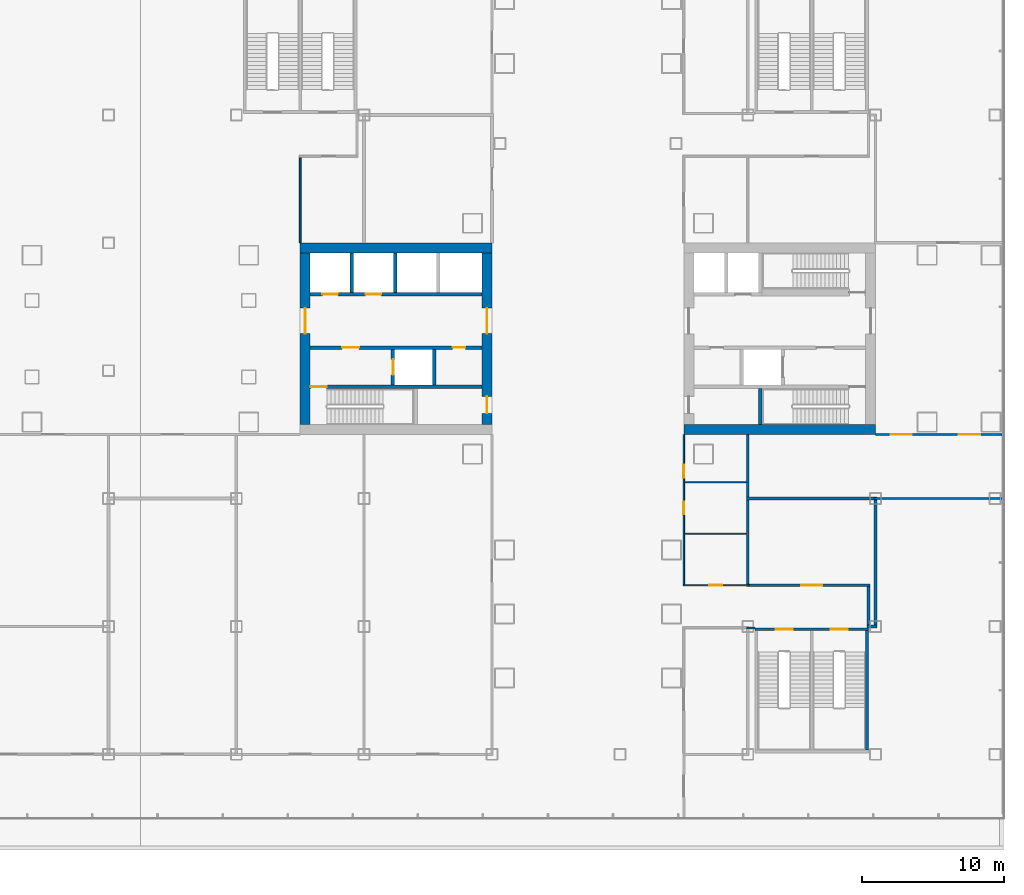
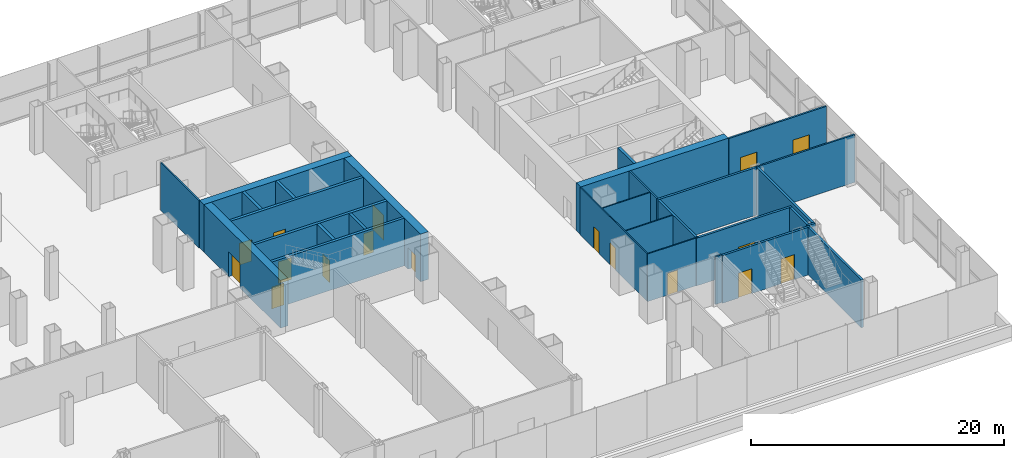
# One storey, part 24 of 33: 29 walls, 17 doors, 17 openings.
"""IFC4 building model written with IfcOpenShell, lengths in metres."""

from ifc_helpers import new_model, si_unit, direction, frame, frame_2d, origin, place, context, subcontext, project, spatial, rectangle, extrude, material, layer, layer_set, type_object, element, fill, save


model = new_model("IFC4")

# Units and contexts
model_context = context("Model", 3, precision=1e-05, world=origin(), true_north=direction((0.0, 1.0)))
body_context = subcontext(model_context, "Body", "Model", "MODEL_VIEW")
ifc_project = project(units=[si_unit("LENGTHUNIT", "METRE"), si_unit("AREAUNIT", "SQUARE_METRE"), si_unit("VOLUMEUNIT", "CUBIC_METRE"), si_unit("PLANEANGLEUNIT", "RADIAN"), si_unit("MASSUNIT", "GRAM", prefix="KILO")], contexts=[model_context])

# Site, building, storey
site_placement = place(None, origin())
site = spatial("IfcSite", under=ifc_project, at=site_placement, CompositionType="ELEMENT")
building_placement = place(site_placement, origin())
building = spatial("IfcBuilding", under=site, at=building_placement, Name="Shamsa Quay Exchange Towers", CompositionType="ELEMENT")
storey_placement = place(building_placement, frame((0.0, 0.0, 18.5)))
storey = spatial("IfcBuildingStorey", under=building, at=storey_placement, Name="L03", CompositionType="ELEMENT", Elevation=18.5)

# Wall
ifc_material_1 = material(Name="Concrete C80/95", Category="concrete")
ifc_layer_1 = layer(ifc_material_1, 0.699951171875)
ifc_layer_set_1 = layer_set([ifc_layer_1], Name="CORE WALL 700 C80/95")
wall_type_1 = type_object("IfcWallType", Name="CORE WALL 700 C80/95", PredefinedType="SHEAR", material=ifc_layer_set_1)
wall_1_placement = place(storey_placement, frame((13.5, 6.39990234375, 0.0)))
element("IfcWall", 1, at=wall_1_placement, inside=storey, type_object=wall_type_1, Name="Core wall T2A-L03-PN", PredefinedType="SHEAR", context=body_context, shape_type="SweptSolid", body=[
    extrude(rectangle(XDim=13.5, YDim=0.699951171875, at=frame_2d((6.75, 0.0))), origin(), (0.0, 0.0, 1.0), 4.60009765625),
])

# Wall, opening, door
wall_2_placement = place(storey_placement, frame((13.85009765625, 6.050048828125, 0.0), z_axis=(0.0, 0.0, 1.0), x_axis=(0.0, -1.0, 0.0)))
wall_2 = element("IfcWall", 2, at=wall_2_placement, inside=storey, type_object=wall_type_1, Name="Core wall T2A-L03-PF", PredefinedType="SHEAR", context=body_context, shape_type="SweptSolid", body=[
    extrude(rectangle(XDim=12.10009765625, YDim=0.699951171875, at=frame_2d((6.050048828125, 0.0))), origin(), (0.0, 0.0, 1.0), 4.60009765625),
])
opening_1_placement = place(wall_2_placement, frame((3.89990234375, 0.0, 0.0)))
opening_1 = element("IfcOpeningElement", 3, at=opening_1_placement, cuts=wall_2, Name="Opening T2A-L03-LBD01", PredefinedType="OPENING", context=body_context, shape_type="SweptSolid", body=[
    extrude(rectangle(XDim=1.800048828125, YDim=2.39990234375, at=frame_2d((0.89990234375, 1.199951171875))), frame((0.0, 0.35986328125, 0.0), z_axis=(0.0, -1.0, 0.0), x_axis=(1.0, 0.0, 0.0)), (0.0, 0.0, 1.0), 0.719970703125),
])
ifc_material_2 = material(Name="Steel, fire rated", Category="steel")
door_type_1 = type_object("IfcDoorType", Name="LIFT LOBBY DOOR PAIR 1800", OperationType="DOUBLE_DOOR_SINGLE_SWING", PredefinedType="DOOR", material=ifc_material_2)
door_1_placement = place(opening_1_placement, origin())
door_1 = element("IfcDoor", 4, at=door_1_placement, inside=storey, type_object=door_type_1, Name="T2A-L03-LBD01", OperationType="DOUBLE_DOOR_SINGLE_SWING", OverallHeight=2.39990234375, OverallWidth=1.800048828125, PredefinedType="DOOR", context=body_context, shape_type="SweptSolid", body=[
    extrude(rectangle(XDim=1.800048828125, YDim=2.39990234375, at=frame_2d((0.89990234375, 1.199951171875))), frame((0.0, 0.02490234375, 0.0), z_axis=(0.0, -1.0, 0.0), x_axis=(1.0, 0.0, 0.0)), (0.0, 0.0, 1.0), 0.050048828125),
])
fill(opening_1, door_1)

# Wall, openings, doors
wall_3_placement = place(storey_placement, frame((26.64990234375, 6.050048828125, 0.0), z_axis=(0.0, 0.0, 1.0), x_axis=(0.0, -1.0, 0.0)))
wall_3 = element("IfcWall", 5, at=wall_3_placement, inside=storey, type_object=wall_type_1, Name="Core wall T2A-L03-PB", PredefinedType="SHEAR", context=body_context, shape_type="SweptSolid", body=[
    extrude(rectangle(XDim=12.10009765625, YDim=0.699951171875, at=frame_2d((6.050048828125, 0.0))), origin(), (0.0, 0.0, 1.0), 4.60009765625),
])
opening_2_placement = place(wall_3_placement, frame((10.10009765625, 0.0, 0.0)))
opening_2 = element("IfcOpeningElement", 6, at=opening_2_placement, cuts=wall_3, Name="Opening T2A-L03-RD02", PredefinedType="OPENING", context=body_context, shape_type="SweptSolid", body=[
    extrude(rectangle(XDim=1.199951171875, YDim=2.10009765625, at=frame_2d((0.60009765625, 1.050048828125))), frame((0.0, 0.35986328125, 0.0), z_axis=(0.0, -1.0, 0.0), x_axis=(1.0, 0.0, 0.0)), (0.0, 0.0, 1.0), 0.719970703125),
])
opening_3_placement = place(wall_3_placement, frame((3.89990234375, 0.0, 0.0)))
opening_3 = element("IfcOpeningElement", 7, at=opening_3_placement, cuts=wall_3, Name="Opening T2A-L03-LBD03", PredefinedType="OPENING", context=body_context, shape_type="SweptSolid", body=[
    extrude(rectangle(XDim=1.800048828125, YDim=2.39990234375, at=frame_2d((0.89990234375, 1.199951171875))), frame((0.0, 0.35986328125, 0.0), z_axis=(0.0, -1.0, 0.0), x_axis=(1.0, 0.0, 0.0)), (0.0, 0.0, 1.0), 0.719970703125),
])
door_2_placement = place(opening_3_placement, origin())
door_2 = element("IfcDoor", 8, at=door_2_placement, inside=storey, type_object=door_type_1, Name="T2A-L03-LBD03", OperationType="DOUBLE_DOOR_SINGLE_SWING", OverallHeight=2.39990234375, OverallWidth=1.800048828125, PredefinedType="DOOR", context=body_context, shape_type="SweptSolid", body=[
    extrude(rectangle(XDim=1.800048828125, YDim=2.39990234375, at=frame_2d((0.89990234375, 1.199951171875))), frame((0.0, 0.02490234375, 0.0), z_axis=(0.0, -1.0, 0.0), x_axis=(1.0, 0.0, 0.0)), (0.0, 0.0, 1.0), 0.050048828125),
])
fill(opening_3, door_2)
door_type_2 = type_object("IfcDoorType", Name="RISER ACCESS DOOR 1200", OperationType="SINGLE_SWING_LEFT", PredefinedType="DOOR", material=ifc_material_2)
door_3_placement = place(opening_2_placement, origin())
door_3 = element("IfcDoor", 9, at=door_3_placement, inside=storey, type_object=door_type_2, Name="T2A-L03-RD02", OperationType="SINGLE_SWING_RIGHT", OverallHeight=2.10009765625, OverallWidth=1.199951171875, PredefinedType="DOOR", context=body_context, shape_type="SweptSolid", body=[
    extrude(rectangle(XDim=1.199951171875, YDim=2.10009765625, at=frame_2d((0.60009765625, 1.050048828125))), frame((0.0, 0.02490234375, 0.0), z_axis=(0.0, -1.0, 0.0), x_axis=(1.0, 0.0, 0.0)), (0.0, 0.0, 1.0), 0.050048828125),
])
fill(opening_2, door_3)

# Walls
wall_4_placement = place(storey_placement, frame((54.0, -6.39990234375, 0.0), z_axis=(0.0, 0.0, 1.0), x_axis=(-1.0, 0.0, 0.0)))
element("IfcWall", 10, at=wall_4_placement, inside=storey, type_object=wall_type_1, Name="Core wall T2B-L03-PS", PredefinedType="SHEAR", context=body_context, shape_type="SweptSolid", body=[
    extrude(rectangle(XDim=13.5, YDim=0.699951171875, at=frame_2d((6.75, 0.0))), origin(), (0.0, 0.0, 1.0), 4.60009765625),
])
ifc_material_3 = material(Name="Laminated fire-resisting glass in a metal frame", Category="glass")
ifc_layer_2 = layer(ifc_material_3, 0.125)
ifc_layer_set_2 = layer_set([ifc_layer_2], Name="Glazed partition 125 mm EI 60")
wall_type_2 = type_object("IfcWallType", Name="Glazed partition 125 mm EI 60", PredefinedType="PARTITIONING", material=ifc_layer_set_2)
wall_5_placement = place(storey_placement, frame((13.5, 12.787109375, 0.0), z_axis=(0.0, 0.0, 1.0), x_axis=(0.0, -1.0, 0.0)))
element("IfcWall", 11, at=wall_5_placement, inside=storey, type_object=wall_type_2, Name="Partition PD-L03-W22", PredefinedType="PARTITIONING", context=body_context, shape_type="SweptSolid", body=[
    extrude(rectangle(XDim=6.037109375, YDim=0.125, at=frame_2d((3.0185546875, 0.0))), origin(), (0.0, 0.0, 1.0), 4.60009765625),
])

# Wall, openings, doors
ifc_material_4 = material(Name="Gypsum board partition on metal studs")
ifc_layer_3 = layer(ifc_material_4, 0.10009765625)
ifc_layer_set_3 = layer_set([ifc_layer_3], Name="Partition 100 mm NOT RATED")
wall_type_3 = type_object("IfcWallType", Name="Partition 100 mm NOT RATED", PredefinedType="PARTITIONING", material=ifc_layer_set_3)
wall_6_placement = place(storey_placement, frame((40.5, -6.75, 0.0), z_axis=(0.0, 0.0, 1.0), x_axis=(0.0, -1.0, 0.0)))
wall_6 = element("IfcWall", 12, at=wall_6_placement, inside=storey, type_object=wall_type_3, Name="Partition PD-L03-W15", PredefinedType="PARTITIONING", context=body_context, shape_type="SweptSolid", body=[
    extrude(rectangle(XDim=10.549560546875, YDim=0.10009765625, at=frame_2d((5.27490234375, 0.0))), origin(), (0.0, 0.0, 1.0), 4.60009765625),
])
opening_4_placement = place(wall_6_placement, frame((2.124755859375, 0.0, 0.0)))
opening_4 = element("IfcOpeningElement", 13, at=opening_4_placement, cuts=wall_6, Name="Opening PD-L03-D34", PredefinedType="OPENING", context=body_context, shape_type="SweptSolid", body=[
    extrude(rectangle(XDim=0.89990234375, YDim=2.10009765625, at=frame_2d((0.449951171875, 1.050048828125))), frame((0.0, 0.06005859375, 0.0), z_axis=(0.0, -1.0, 0.0), x_axis=(1.0, 0.0, 0.0)), (0.0, 0.0, 1.0), 0.1201171875),
])
opening_5_placement = place(wall_6_placement, frame((4.712158203125, 0.0, 0.0)))
opening_5 = element("IfcOpeningElement", 14, at=opening_5_placement, cuts=wall_6, Name="Opening PD-L03-D35", PredefinedType="OPENING", context=body_context, shape_type="SweptSolid", body=[
    extrude(rectangle(XDim=0.89990234375, YDim=2.10009765625, at=frame_2d((0.449951171875, 1.050048828125))), frame((0.0, 0.06005859375, 0.0), z_axis=(0.0, -1.0, 0.0), x_axis=(1.0, 0.0, 0.0)), (0.0, 0.0, 1.0), 0.1201171875),
])
ifc_material_5 = material(Name="Timber door leaf in a metal frame", Category="wood")
door_type_3 = type_object("IfcDoorType", Name="Door 900x2100 NOT RATED", OperationType="NOTDEFINED", PredefinedType="DOOR", material=ifc_material_5)
door_4_placement = place(opening_4_placement, origin())
door_4 = element("IfcDoor", 15, at=door_4_placement, inside=storey, type_object=door_type_3, Name="Door PD-L03-D34", OperationType="SINGLE_SWING_RIGHT", OverallHeight=2.10009765625, OverallWidth=0.89990234375, PredefinedType="DOOR", context=body_context, shape_type="SweptSolid", body=[
    extrude(rectangle(XDim=0.89990234375, YDim=2.10009765625, at=frame_2d((0.449951171875, 1.050048828125))), frame((0.0, 0.02490234375, 0.0), z_axis=(0.0, -1.0, 0.0), x_axis=(1.0, 0.0, 0.0)), (0.0, 0.0, 1.0), 0.050048828125),
])
fill(opening_4, door_4)
door_5_placement = place(opening_5_placement, origin())
door_5 = element("IfcDoor", 16, at=door_5_placement, inside=storey, type_object=door_type_3, Name="Door PD-L03-D35", OperationType="SINGLE_SWING_RIGHT", OverallHeight=2.10009765625, OverallWidth=0.89990234375, PredefinedType="DOOR", context=body_context, shape_type="SweptSolid", body=[
    extrude(rectangle(XDim=0.89990234375, YDim=2.10009765625, at=frame_2d((0.449951171875, 1.050048828125))), frame((0.0, 0.02490234375, 0.0), z_axis=(0.0, -1.0, 0.0), x_axis=(1.0, 0.0, 0.0)), (0.0, 0.0, 1.0), 0.050048828125),
])
fill(opening_5, door_5)

# Wall, opening, door
wall_7_placement = place(storey_placement, frame((40.449951171875, -17.349609375, 0.0)))
wall_7 = element("IfcWall", 17, at=wall_7_placement, inside=storey, type_object=wall_type_3, Name="Partition PD-L03-W57", PredefinedType="PARTITIONING", context=body_context, shape_type="SweptSolid", body=[
    extrude(rectangle(XDim=4.650146484375, YDim=0.10009765625, at=frame_2d((2.3251953125, 0.0))), origin(), (0.0, 0.0, 1.0), 4.60009765625),
])
opening_6_placement = place(wall_7_placement, frame((1.85009765625, 0.0, 0.0)))
opening_6 = element("IfcOpeningElement", 18, at=opening_6_placement, cuts=wall_7, Name="Opening PD-L03-D33", PredefinedType="OPENING", context=body_context, shape_type="SweptSolid", body=[
    extrude(rectangle(XDim=0.89990234375, YDim=2.10009765625, at=frame_2d((0.449951171875, 1.050048828125))), frame((0.0, 0.06005859375, 0.0), z_axis=(0.0, -1.0, 0.0), x_axis=(1.0, 0.0, 0.0)), (0.0, 0.0, 1.0), 0.1201171875),
])
door_6_placement = place(opening_6_placement, origin())
door_6 = element("IfcDoor", 19, at=door_6_placement, inside=storey, type_object=door_type_3, Name="Door PD-L03-D33", OperationType="SINGLE_SWING_LEFT", OverallHeight=2.10009765625, OverallWidth=0.89990234375, PredefinedType="DOOR", context=body_context, shape_type="SweptSolid", body=[
    extrude(rectangle(XDim=0.89990234375, YDim=2.10009765625, at=frame_2d((0.449951171875, 1.050048828125))), frame((0.0, 0.02490234375, 0.0), z_axis=(0.0, -1.0, 0.0), x_axis=(1.0, 0.0, 0.0)), (0.0, 0.0, 1.0), 0.050048828125),
])
fill(opening_6, door_6)

# Walls
wall_8_placement = place(storey_placement, frame((44.89990234375, -13.724609375, 0.0), z_axis=(0.0, 0.0, 1.0), x_axis=(-1.0, 0.0, 0.0)))
element("IfcWall", 20, at=wall_8_placement, inside=storey, type_object=wall_type_3, Name="Partition PD-L03-W100", PredefinedType="PARTITIONING", context=body_context, shape_type="SweptSolid", body=[
    extrude(rectangle(XDim=4.349853515625, YDim=0.10009765625, at=frame_2d((2.1748046875, 0.0))), origin(), (0.0, 0.0, 1.0), 4.60009765625),
])
wall_9_placement = place(storey_placement, frame((44.925048828125, -10.099609375, 0.0), z_axis=(0.0, 0.0, 1.0), x_axis=(-1.0, 0.0, 0.0)))
element("IfcWall", 21, at=wall_9_placement, inside=storey, type_object=wall_type_3, Name="Partition PD-L03-W101", PredefinedType="PARTITIONING", context=body_context, shape_type="SweptSolid", body=[
    extrude(rectangle(XDim=4.375, YDim=0.10009765625, at=frame_2d((2.1875, 0.0))), origin(), (0.0, 0.0, 1.0), 4.60009765625),
])

# Wall, openings, doors
ifc_layer_4 = layer(ifc_material_4, 0.14990234375)
ifc_layer_set_4 = layer_set([ifc_layer_4], Name="Partition 150 mm EI 60")
wall_type_4 = type_object("IfcWallType", Name="Partition 150 mm EI 60", PredefinedType="PARTITIONING", material=ifc_layer_set_4)
wall_10_placement = place(storey_placement, frame((54.0, -6.75, 0.0)))
wall_10 = element("IfcWall", 22, at=wall_10_placement, inside=storey, type_object=wall_type_4, Name="Partition PD-L03-W35", PredefinedType="PARTITIONING", context=body_context, shape_type="SweptSolid", body=[
    extrude(rectangle(XDim=8.905029296875, YDim=0.14990234375, at=frame_2d((4.45263671875, 0.0))), origin(), (0.0, 0.0, 1.0), 4.60009765625),
])
opening_7_placement = place(wall_10_placement, frame((1.050048828125, 0.0, 0.0)))
opening_7 = element("IfcOpeningElement", 23, at=opening_7_placement, cuts=wall_10, Name="Opening PD-L03-D41", PredefinedType="OPENING", context=body_context, shape_type="SweptSolid", body=[
    extrude(rectangle(XDim=1.5, YDim=2.39990234375, at=frame_2d((0.75, 1.199951171875))), frame((0.0, 0.0849609375, 0.0), z_axis=(0.0, -1.0, 0.0), x_axis=(1.0, 0.0, 0.0)), (0.0, 0.0, 1.0), 0.169921875),
])
opening_8_placement = place(wall_10_placement, frame((5.85009765625, 0.0, 0.0)))
opening_8 = element("IfcOpeningElement", 24, at=opening_8_placement, cuts=wall_10, Name="Opening PD-L03-D42", PredefinedType="OPENING", context=body_context, shape_type="SweptSolid", body=[
    extrude(rectangle(XDim=1.5, YDim=2.39990234375, at=frame_2d((0.75, 1.199951171875))), frame((0.0, 0.0849609375, 0.0), z_axis=(0.0, -1.0, 0.0), x_axis=(1.0, 0.0, 0.0)), (0.0, 0.0, 1.0), 0.169921875),
])
door_type_4 = type_object("IfcDoorType", Name="Door 1500x2400 FD30S pair", OperationType="NOTDEFINED", PredefinedType="DOOR", material=ifc_material_5)
door_7_placement = place(opening_7_placement, origin())
door_7 = element("IfcDoor", 25, at=door_7_placement, inside=storey, type_object=door_type_4, Name="Door PD-L03-D41", OperationType="DOUBLE_DOOR_SINGLE_SWING", OverallHeight=2.39990234375, OverallWidth=1.5, PredefinedType="DOOR", context=body_context, shape_type="SweptSolid", body=[
    extrude(rectangle(XDim=1.5, YDim=2.39990234375, at=frame_2d((0.75, 1.199951171875))), frame((0.0, 0.02490234375, 0.0), z_axis=(0.0, -1.0, 0.0), x_axis=(1.0, 0.0, 0.0)), (0.0, 0.0, 1.0), 0.050048828125),
])
fill(opening_7, door_7)
door_8_placement = place(opening_8_placement, origin())
door_8 = element("IfcDoor", 26, at=door_8_placement, inside=storey, type_object=door_type_4, Name="Door PD-L03-D42", OperationType="DOUBLE_DOOR_SINGLE_SWING", OverallHeight=2.39990234375, OverallWidth=1.5, PredefinedType="DOOR", context=body_context, shape_type="SweptSolid", body=[
    extrude(rectangle(XDim=1.5, YDim=2.39990234375, at=frame_2d((0.75, 1.199951171875))), frame((0.0, 0.02490234375, 0.0), z_axis=(0.0, -1.0, 0.0), x_axis=(1.0, 0.0, 0.0)), (0.0, 0.0, 1.0), 0.050048828125),
])
fill(opening_8, door_8)

# Walls
wall_11_placement = place(storey_placement, frame((45.5, -20.349609375, 0.0), z_axis=(0.0, 0.0, 1.0), x_axis=(-1.0, 0.0, 0.0)))
element("IfcWall", 27, at=wall_11_placement, inside=storey, type_object=wall_type_4, Name="Partition PD-L03-W54", PredefinedType="PARTITIONING", context=body_context, shape_type="SweptSolid", body=[
    extrude(rectangle(XDim=0.574951171875, YDim=0.14990234375, at=frame_2d((0.28759765625, 0.0))), origin(), (0.0, 0.0, 1.0), 4.60009765625),
])
wall_12_placement = place(storey_placement, frame((62.905029296875, -11.25, 0.0), z_axis=(0.0, 0.0, 1.0), x_axis=(-1.0, 0.0, 0.0)))
element("IfcWall", 28, at=wall_12_placement, inside=storey, type_object=wall_type_4, Name="Partition PD-L03-W74", PredefinedType="PARTITIONING", context=body_context, shape_type="SweptSolid", body=[
    extrude(rectangle(XDim=9.005126953125, YDim=0.14990234375, at=frame_2d((4.50244140625, 0.0))), origin(), (0.0, 0.0, 1.0), 4.60009765625),
])
wall_13_placement = place(storey_placement, frame((45.0, -6.75, 0.0), z_axis=(0.0, 0.0, 1.0), x_axis=(0.0, -1.0, 0.0)))
element("IfcWall", 29, at=wall_13_placement, inside=storey, type_object=wall_type_4, Name="Partition PD-L03-W77", PredefinedType="PARTITIONING", context=body_context, shape_type="SweptSolid", body=[
    extrude(rectangle(XDim=4.39990234375, YDim=0.14990234375, at=frame_2d((2.199951171875, 0.0))), origin(), (0.0, 0.0, 1.0), 4.60009765625),
])
ifc_layer_5 = layer(ifc_material_4, 0.199951171875)
ifc_layer_set_5 = layer_set([ifc_layer_5], Name="Partition 200 mm EI 90")
wall_type_5 = type_object("IfcWallType", Name="Partition 200 mm EI 90", PredefinedType="PARTITIONING", material=ifc_layer_set_5)
wall_14_placement = place(storey_placement, frame((53.5, -17.44970703125, 0.0), z_axis=(0.0, 0.0, 1.0), x_axis=(0.0, -1.0, 0.0)))
element("IfcWall", 30, at=wall_14_placement, inside=storey, type_object=wall_type_5, Name="Partition PD-L03-W55", PredefinedType="PARTITIONING", context=body_context, shape_type="SweptSolid", body=[
    extrude(rectangle(XDim=2.7001953125, YDim=0.199951171875, at=frame_2d((1.35009765625, 0.0))), origin(), (0.0, 0.0, 1.0), 4.60009765625),
])

# Wall, opening, door
wall_15_placement = place(storey_placement, frame((44.89990234375, -17.349609375, 0.0)))
wall_15 = element("IfcWall", 31, at=wall_15_placement, inside=storey, type_object=wall_type_5, Name="Partition PD-L03-W56", PredefinedType="PARTITIONING", context=body_context, shape_type="SweptSolid", body=[
    extrude(rectangle(XDim=8.7001953125, YDim=0.199951171875, at=frame_2d((4.35009765625, 0.0))), origin(), (0.0, 0.0, 1.0), 4.60009765625),
])
opening_9_placement = place(wall_15_placement, frame((3.85009765625, 0.0, 0.0)))
opening_9 = element("IfcOpeningElement", 32, at=opening_9_placement, cuts=wall_15, Name="Opening PD-L03-D39", PredefinedType="OPENING", context=body_context, shape_type="SweptSolid", body=[
    extrude(rectangle(XDim=1.5, YDim=2.39990234375, at=frame_2d((0.75, 1.199951171875))), frame((0.0, 0.10986328125, 0.0), z_axis=(0.0, -1.0, 0.0), x_axis=(1.0, 0.0, 0.0)), (0.0, 0.0, 1.0), 0.219970703125),
])
door_9_placement = place(opening_9_placement, origin())
door_9 = element("IfcDoor", 33, at=door_9_placement, inside=storey, type_object=door_type_4, Name="Door PD-L03-D39", OperationType="DOUBLE_DOOR_SINGLE_SWING", OverallHeight=2.39990234375, OverallWidth=1.5, PredefinedType="DOOR", context=body_context, shape_type="SweptSolid", body=[
    extrude(rectangle(XDim=1.5, YDim=2.39990234375, at=frame_2d((0.75, 1.199951171875))), frame((0.0, 0.02490234375, 0.0), z_axis=(0.0, -1.0, 0.0), x_axis=(1.0, 0.0, 0.0)), (0.0, 0.0, 1.0), 0.050048828125),
])
fill(opening_9, door_9)

# Walls
wall_16_placement = place(storey_placement, frame((54.10009765625, -20.25, 0.0), z_axis=(0.0, 0.0, 1.0), x_axis=(-1.0, 0.0, 0.0)))
element("IfcWall", 34, at=wall_16_placement, inside=storey, type_object=wall_type_5, Name="Partition PD-L03-W70", PredefinedType="PARTITIONING", context=body_context, shape_type="SweptSolid", body=[
    extrude(rectangle(XDim=0.7001953125, YDim=0.199951171875, at=frame_2d((0.35009765625, 0.0))), origin(), (0.0, 0.0, 1.0), 4.60009765625),
])
wall_17_placement = place(storey_placement, frame((54.0, -11.35009765625, 0.0), z_axis=(0.0, 0.0, 1.0), x_axis=(0.0, -1.0, 0.0)))
element("IfcWall", 35, at=wall_17_placement, inside=storey, type_object=wall_type_5, Name="Partition PD-L03-W75", PredefinedType="PARTITIONING", context=body_context, shape_type="SweptSolid", body=[
    extrude(rectangle(XDim=8.7998046875, YDim=0.199951171875, at=frame_2d((4.39990234375, 0.0))), origin(), (0.0, 0.0, 1.0), 4.60009765625),
])
wall_18_placement = place(storey_placement, frame((44.89990234375, -11.25, 0.0)))
element("IfcWall", 36, at=wall_18_placement, inside=storey, type_object=wall_type_5, Name="Partition PD-L03-W95", PredefinedType="PARTITIONING", context=body_context, shape_type="SweptSolid", body=[
    extrude(rectangle(XDim=9.2001953125, YDim=0.199951171875, at=frame_2d((4.60009765625, 0.0))), origin(), (0.0, 0.0, 1.0), 4.60009765625),
])
wall_19_placement = place(storey_placement, frame((45.0, -11.35009765625, 0.0), z_axis=(0.0, 0.0, 1.0), x_axis=(0.0, -1.0, 0.0)))
element("IfcWall", 37, at=wall_19_placement, inside=storey, type_object=wall_type_5, Name="Partition PD-L03-W97", PredefinedType="PARTITIONING", context=body_context, shape_type="SweptSolid", body=[
    extrude(rectangle(XDim=5.8994140625, YDim=0.199951171875, at=frame_2d((2.94970703125, 0.0))), origin(), (0.0, 0.0, 1.0), 4.60009765625),
])

# Wall, opening, door
ifc_material_6 = material(Name="Concrete C50/60", Category="concrete")
ifc_layer_6 = layer(ifc_material_6, 0.25)
ifc_layer_set_6 = layer_set([ifc_layer_6], Name="SHAFT WALL 250 C50/60")
wall_type_6 = type_object("IfcWallType", Name="SHAFT WALL 250 C50/60", PredefinedType="SHEAR", material=ifc_layer_set_6)
wall_20_placement = place(storey_placement, frame((26.300048828125, -3.375, 0.0), z_axis=(0.0, 0.0, 1.0), x_axis=(-1.0, 0.0, 0.0)))
wall_20 = element("IfcWall", 38, at=wall_20_placement, inside=storey, type_object=wall_type_6, Name="Shaft wall T2A-L03-STL", PredefinedType="SHEAR", context=body_context, shape_type="SweptSolid", body=[
    extrude(rectangle(XDim=12.10009765625, YDim=0.25, at=frame_2d((6.050048828125, 0.0))), origin(), (0.0, 0.0, 1.0), 4.60009765625),
])
opening_10_placement = place(wall_20_placement, frame((10.949951171875, 0.0, 0.0)))
opening_10 = element("IfcOpeningElement", 39, at=opening_10_placement, cuts=wall_20, Name="Opening T2A-L03-SD04", PredefinedType="OPENING", context=body_context, shape_type="SweptSolid", body=[
    extrude(rectangle(XDim=1.10009765625, YDim=2.10009765625, at=frame_2d((0.550048828125, 1.050048828125))), frame((0.0, 0.135009765625, 0.0), z_axis=(0.0, -1.0, 0.0), x_axis=(1.0, 0.0, 0.0)), (0.0, 0.0, 1.0), 0.27001953125),
])
door_type_5 = type_object("IfcDoorType", Name="STAIR DOOR 1100", OperationType="SINGLE_SWING_LEFT", PredefinedType="DOOR", material=ifc_material_2)
door_10_placement = place(opening_10_placement, origin())
door_10 = element("IfcDoor", 40, at=door_10_placement, inside=storey, type_object=door_type_5, Name="T2A-L03-SD04", OperationType="SINGLE_SWING_RIGHT", OverallHeight=2.10009765625, OverallWidth=1.10009765625, PredefinedType="DOOR", context=body_context, shape_type="SweptSolid", body=[
    extrude(rectangle(XDim=1.10009765625, YDim=2.10009765625, at=frame_2d((0.550048828125, 1.050048828125))), frame((0.0, 0.02490234375, 0.0), z_axis=(0.0, -1.0, 0.0), x_axis=(1.0, 0.0, 0.0)), (0.0, 0.0, 1.0), 0.050048828125),
])
fill(opening_10, door_10)

# Wall, openings, doors
wall_21_placement = place(storey_placement, frame((26.300048828125, -0.625, 0.0), z_axis=(0.0, 0.0, 1.0), x_axis=(-1.0, 0.0, 0.0)))
wall_21 = element("IfcWall", 41, at=wall_21_placement, inside=storey, type_object=wall_type_6, Name="Shaft wall T2A-L03-B", PredefinedType="SHEAR", context=body_context, shape_type="SweptSolid", body=[
    extrude(rectangle(XDim=12.10009765625, YDim=0.25, at=frame_2d((6.050048828125, 0.0))), origin(), (0.0, 0.0, 1.0), 4.60009765625),
])
opening_11_placement = place(wall_21_placement, frame((8.64990234375, 0.0, 0.0)))
opening_11 = element("IfcOpeningElement", 42, at=opening_11_placement, cuts=wall_21, Name="Opening T2A-L03-FD05", PredefinedType="OPENING", context=body_context, shape_type="SweptSolid", body=[
    extrude(rectangle(XDim=1.199951171875, YDim=2.10009765625, at=frame_2d((0.60009765625, 1.050048828125))), frame((0.0, 0.135009765625, 0.0), z_axis=(0.0, -1.0, 0.0), x_axis=(1.0, 0.0, 0.0)), (0.0, 0.0, 1.0), 0.27001953125),
])
opening_12_placement = place(wall_21_placement, frame((1.175048828125, 0.0, 0.0)))
opening_12 = element("IfcOpeningElement", 43, at=opening_12_placement, cuts=wall_21, Name="Opening T2A-L03-SV06", PredefinedType="OPENING", context=body_context, shape_type="SweptSolid", body=[
    extrude(rectangle(XDim=0.89990234375, YDim=2.10009765625, at=frame_2d((0.449951171875, 1.050048828125))), frame((0.0, 0.135009765625, 0.0), z_axis=(0.0, -1.0, 0.0), x_axis=(1.0, 0.0, 0.0)), (0.0, 0.0, 1.0), 0.27001953125),
])
door_type_6 = type_object("IfcDoorType", Name="FIRE SERVICE LOBBY DOOR 1200", OperationType="SINGLE_SWING_LEFT", PredefinedType="DOOR", material=ifc_material_2)
door_11_placement = place(opening_11_placement, origin())
door_11 = element("IfcDoor", 44, at=door_11_placement, inside=storey, type_object=door_type_6, Name="T2A-L03-FD05", OperationType="SINGLE_SWING_RIGHT", OverallHeight=2.10009765625, OverallWidth=1.199951171875, PredefinedType="DOOR", context=body_context, shape_type="SweptSolid", body=[
    extrude(rectangle(XDim=1.199951171875, YDim=2.10009765625, at=frame_2d((0.60009765625, 1.050048828125))), frame((0.0, 0.02490234375, 0.0), z_axis=(0.0, -1.0, 0.0), x_axis=(1.0, 0.0, 0.0)), (0.0, 0.0, 1.0), 0.050048828125),
])
fill(opening_11, door_11)
door_type_7 = type_object("IfcDoorType", Name="SERVICE ROOM DOOR 900", OperationType="SINGLE_SWING_LEFT", PredefinedType="DOOR", material=ifc_material_2)
door_12_placement = place(opening_12_placement, origin())
door_12 = element("IfcDoor", 45, at=door_12_placement, inside=storey, type_object=door_type_7, Name="T2A-L03-SV06", OperationType="SINGLE_SWING_LEFT", OverallHeight=2.10009765625, OverallWidth=0.89990234375, PredefinedType="DOOR", context=body_context, shape_type="SweptSolid", body=[
    extrude(rectangle(XDim=0.89990234375, YDim=2.10009765625, at=frame_2d((0.449951171875, 1.050048828125))), frame((0.0, 0.02490234375, 0.0), z_axis=(0.0, -1.0, 0.0), x_axis=(1.0, 0.0, 0.0)), (0.0, 0.0, 1.0), 0.050048828125),
])
fill(opening_12, door_12)

# Wall, opening, door
wall_22_placement = place(storey_placement, frame((20.02490234375, -3.25, 0.0), z_axis=(0.0, 0.0, 1.0), x_axis=(0.0, 1.0, 0.0)))
wall_22 = element("IfcWall", 46, at=wall_22_placement, inside=storey, type_object=wall_type_6, Name="Shaft wall T2A-L03-FFF", PredefinedType="SHEAR", context=body_context, shape_type="SweptSolid", body=[
    extrude(rectangle(XDim=2.5, YDim=0.25, at=frame_2d((1.25, 0.0))), origin(), (0.0, 0.0, 1.0), 4.60009765625),
])
opening_13_placement = place(wall_22_placement, frame((0.699951171875, 0.0, 0.0)))
opening_13 = element("IfcOpeningElement", 47, at=opening_13_placement, cuts=wall_22, Name="Opening T2A-L03-LDF07", PredefinedType="OPENING", context=body_context, shape_type="SweptSolid", body=[
    extrude(rectangle(XDim=1.10009765625, YDim=2.10009765625, at=frame_2d((0.550048828125, 1.050048828125))), frame((0.0, 0.135009765625, 0.0), z_axis=(0.0, -1.0, 0.0), x_axis=(1.0, 0.0, 0.0)), (0.0, 0.0, 1.0), 0.27001953125),
])
door_type_8 = type_object("IfcDoorType", Name="FIRE SERVICE LANDING DOOR 1100", OperationType="SLIDING_TO_LEFT", PredefinedType="DOOR", material=ifc_material_2)
door_13_placement = place(opening_13_placement, origin())
door_13 = element("IfcDoor", 48, at=door_13_placement, inside=storey, type_object=door_type_8, Name="T2A-L03-LDF07", OperationType="SLIDING_TO_LEFT", OverallHeight=2.10009765625, OverallWidth=1.10009765625, PredefinedType="DOOR", context=body_context, shape_type="SweptSolid", body=[
    extrude(rectangle(XDim=1.10009765625, YDim=2.10009765625, at=frame_2d((0.550048828125, 1.050048828125))), frame((0.0, 0.02490234375, 0.0), z_axis=(0.0, -1.0, 0.0), x_axis=(1.0, 0.0, 0.0)), (0.0, 0.0, 1.0), 0.050048828125),
])
fill(opening_13, door_13)

# Wall
wall_23_placement = place(storey_placement, frame((22.925048828125, -3.25, 0.0), z_axis=(0.0, 0.0, 1.0), x_axis=(0.0, 1.0, 0.0)))
element("IfcWall", 49, at=wall_23_placement, inside=storey, type_object=wall_type_6, Name="Shaft wall T2A-L03-FFB", PredefinedType="SHEAR", context=body_context, shape_type="SweptSolid", body=[
    extrude(rectangle(XDim=2.5, YDim=0.25, at=frame_2d((1.25, 0.0))), origin(), (0.0, 0.0, 1.0), 4.60009765625),
])

# Wall, openings, doors
wall_24_placement = place(storey_placement, frame((14.199951171875, 3.125, 0.0)))
wall_24 = element("IfcWall", 50, at=wall_24_placement, inside=storey, type_object=wall_type_6, Name="Shaft wall T2A-L03-N", PredefinedType="SHEAR", context=body_context, shape_type="SweptSolid", body=[
    extrude(rectangle(XDim=12.10009765625, YDim=0.25, at=frame_2d((6.050048828125, 0.0))), origin(), (0.0, 0.0, 1.0), 4.60009765625),
])
opening_14_placement = place(wall_24_placement, frame((0.85009765625, 0.0, 0.0)))
opening_14 = element("IfcOpeningElement", 51, at=opening_14_placement, cuts=wall_24, Name="Opening T2A-L03-LD08", PredefinedType="OPENING", context=body_context, shape_type="SweptSolid", body=[
    extrude(rectangle(XDim=1.10009765625, YDim=2.10009765625, at=frame_2d((0.550048828125, 1.050048828125))), frame((0.0, 0.135009765625, 0.0), z_axis=(0.0, -1.0, 0.0), x_axis=(1.0, 0.0, 0.0)), (0.0, 0.0, 1.0), 0.27001953125),
])
opening_15_placement = place(wall_24_placement, frame((3.89990234375, 0.0, 0.0)))
opening_15 = element("IfcOpeningElement", 52, at=opening_15_placement, cuts=wall_24, Name="Opening T2A-L03-LD09", PredefinedType="OPENING", context=body_context, shape_type="SweptSolid", body=[
    extrude(rectangle(XDim=1.10009765625, YDim=2.10009765625, at=frame_2d((0.550048828125, 1.050048828125))), frame((0.0, 0.135009765625, 0.0), z_axis=(0.0, -1.0, 0.0), x_axis=(1.0, 0.0, 0.0)), (0.0, 0.0, 1.0), 0.27001953125),
])
door_type_9 = type_object("IfcDoorType", Name="LANDING DOOR 1100", OperationType="SLIDING_TO_LEFT", PredefinedType="DOOR", material=ifc_material_2)
door_14_placement = place(opening_14_placement, origin())
door_14 = element("IfcDoor", 53, at=door_14_placement, inside=storey, type_object=door_type_9, Name="T2A-L03-LD08", OperationType="SLIDING_TO_LEFT", OverallHeight=2.10009765625, OverallWidth=1.10009765625, PredefinedType="DOOR", context=body_context, shape_type="SweptSolid", body=[
    extrude(rectangle(XDim=1.10009765625, YDim=2.10009765625, at=frame_2d((0.550048828125, 1.050048828125))), frame((0.0, 0.02490234375, 0.0), z_axis=(0.0, -1.0, 0.0), x_axis=(1.0, 0.0, 0.0)), (0.0, 0.0, 1.0), 0.050048828125),
])
fill(opening_14, door_14)
door_15_placement = place(opening_15_placement, origin())
door_15 = element("IfcDoor", 54, at=door_15_placement, inside=storey, type_object=door_type_9, Name="T2A-L03-LD09", OperationType="SLIDING_TO_LEFT", OverallHeight=2.10009765625, OverallWidth=1.10009765625, PredefinedType="DOOR", context=body_context, shape_type="SweptSolid", body=[
    extrude(rectangle(XDim=1.10009765625, YDim=2.10009765625, at=frame_2d((0.550048828125, 1.050048828125))), frame((0.0, 0.02490234375, 0.0), z_axis=(0.0, -1.0, 0.0), x_axis=(1.0, 0.0, 0.0)), (0.0, 0.0, 1.0), 0.050048828125),
])
fill(opening_15, door_15)

# Walls
for number, where, z_axis, x_axis, name in (
    (55, (17.125, 3.25, 0.0), (0.0, 0.0, 1.0), (0.0, 1.0, 0.0), "Shaft wall T2A-L03-D0"),
    (56, (20.175048828125, 3.25, 0.0), (0.0, 0.0, 1.0), (0.0, 1.0, 0.0), "Shaft wall T2A-L03-D1"),
):
    element("IfcWall", number, at=place(storey_placement, frame(where, z_axis=z_axis, x_axis=x_axis)), inside=storey, type_object=wall_type_6, Name=name, PredefinedType="SHEAR", context=body_context, shape_type="SweptSolid", body=[
        extrude(rectangle(XDim=2.800048828125, YDim=0.25, at=frame_2d((1.39990234375, 0.0))), origin(), (0.0, 0.0, 1.0), 4.60009765625),
    ])
wall_25_placement = place(storey_placement, frame((45.875, -6.050048828125, 0.0), z_axis=(0.0, 0.0, 1.0), x_axis=(0.0, 1.0, 0.0)))
element("IfcWall", 57, at=wall_25_placement, inside=storey, type_object=wall_type_6, Name="Shaft wall T2B-L03-STF", PredefinedType="SHEAR", context=body_context, shape_type="SweptSolid", body=[
    extrude(rectangle(XDim=2.550048828125, YDim=0.25, at=frame_2d((1.27490234375, 0.0))), origin(), (0.0, 0.0, 1.0), 4.60009765625),
])

# Wall, openings, doors
ifc_layer_7 = layer(ifc_material_6, 0.199951171875)
ifc_layer_set_7 = layer_set([ifc_layer_7], Name="STAIR ENCLOSURE WALL 200 C50/60")
wall_type_7 = type_object("IfcWallType", Name="STAIR ENCLOSURE WALL 200 C50/60", PredefinedType="SHEAR", material=ifc_layer_set_7)
wall_26_placement = place(storey_placement, frame((53.5, -20.449951171875, 0.0), z_axis=(0.0, 0.0, 1.0), x_axis=(-1.0, 0.0, 0.0)))
wall_26 = element("IfcWall", 58, at=wall_26_placement, inside=storey, type_object=wall_type_7, Name="Stair enclosure wall PS6 inward", PredefinedType="SHEAR", context=body_context, shape_type="SweptSolid", body=[
    extrude(rectangle(XDim=8.0, YDim=0.199951171875, at=frame_2d((4.0, 0.0))), origin(), (0.0, 0.0, 1.0), 4.60009765625),
])
opening_16_placement = place(wall_26_placement, frame((5.33740234375, 0.0, 0.0)))
opening_16 = element("IfcOpeningElement", 59, at=opening_16_placement, cuts=wall_26, Name="Opening PS6A-L03-SD01", PredefinedType="OPENING", context=body_context, shape_type="SweptSolid", body=[
    extrude(rectangle(XDim=1.199951171875, YDim=2.39990234375, at=frame_2d((0.60009765625, 1.199951171875))), frame((0.0, 0.10986328125, 0.0), z_axis=(0.0, -1.0, 0.0), x_axis=(1.0, 0.0, 0.0)), (0.0, 0.0, 1.0), 0.219970703125),
])
opening_17_placement = place(wall_26_placement, frame((1.46240234375, 0.0, 0.0)))
opening_17 = element("IfcOpeningElement", 60, at=opening_17_placement, cuts=wall_26, Name="Opening PS6B-L03-SD01", PredefinedType="OPENING", context=body_context, shape_type="SweptSolid", body=[
    extrude(rectangle(XDim=1.199951171875, YDim=2.39990234375, at=frame_2d((0.60009765625, 1.199951171875))), frame((0.0, 0.10986328125, 0.0), z_axis=(0.0, -1.0, 0.0), x_axis=(1.0, 0.0, 0.0)), (0.0, 0.0, 1.0), 0.219970703125),
])
door_type_10 = type_object("IfcDoorType", Name="PODIUM STAIR DOOR 1200", OperationType="SINGLE_SWING_LEFT", PredefinedType="DOOR", material=ifc_material_2)
door_16_placement = place(opening_16_placement, origin())
door_16 = element("IfcDoor", 61, at=door_16_placement, inside=storey, type_object=door_type_10, Name="PS6A-L03-SD01", OperationType="SINGLE_SWING_LEFT", OverallHeight=2.39990234375, OverallWidth=1.199951171875, PredefinedType="DOOR", context=body_context, shape_type="SweptSolid", body=[
    extrude(rectangle(XDim=1.199951171875, YDim=2.39990234375, at=frame_2d((0.60009765625, 1.199951171875))), frame((0.0, 0.02490234375, 0.0), z_axis=(0.0, -1.0, 0.0), x_axis=(1.0, 0.0, 0.0)), (0.0, 0.0, 1.0), 0.050048828125),
])
fill(opening_16, door_16)
door_17_placement = place(opening_17_placement, origin())
door_17 = element("IfcDoor", 62, at=door_17_placement, inside=storey, type_object=door_type_10, Name="PS6B-L03-SD01", OperationType="SINGLE_SWING_RIGHT", OverallHeight=2.39990234375, OverallWidth=1.199951171875, PredefinedType="DOOR", context=body_context, shape_type="SweptSolid", body=[
    extrude(rectangle(XDim=1.199951171875, YDim=2.39990234375, at=frame_2d((0.60009765625, 1.199951171875))), frame((0.0, 0.02490234375, 0.0), z_axis=(0.0, -1.0, 0.0), x_axis=(1.0, 0.0, 0.0)), (0.0, 0.0, 1.0), 0.050048828125),
])
fill(opening_17, door_17)

# Wall
wall_27_placement = place(storey_placement, frame((53.39990234375, -28.949951171875, 0.0), z_axis=(0.0, 0.0, 1.0), x_axis=(0.0, 1.0, 0.0)))
element("IfcWall", 63, at=wall_27_placement, inside=storey, type_object=wall_type_7, Name="Stair enclosure wall PS6 east", PredefinedType="SHEAR", context=body_context, shape_type="SweptSolid", body=[
    extrude(rectangle(XDim=8.39990234375, YDim=0.199951171875, at=frame_2d((4.199951171875, 0.0))), origin(), (0.0, 0.0, 1.0), 4.60009765625),
])

save(model, "model.ifc")
